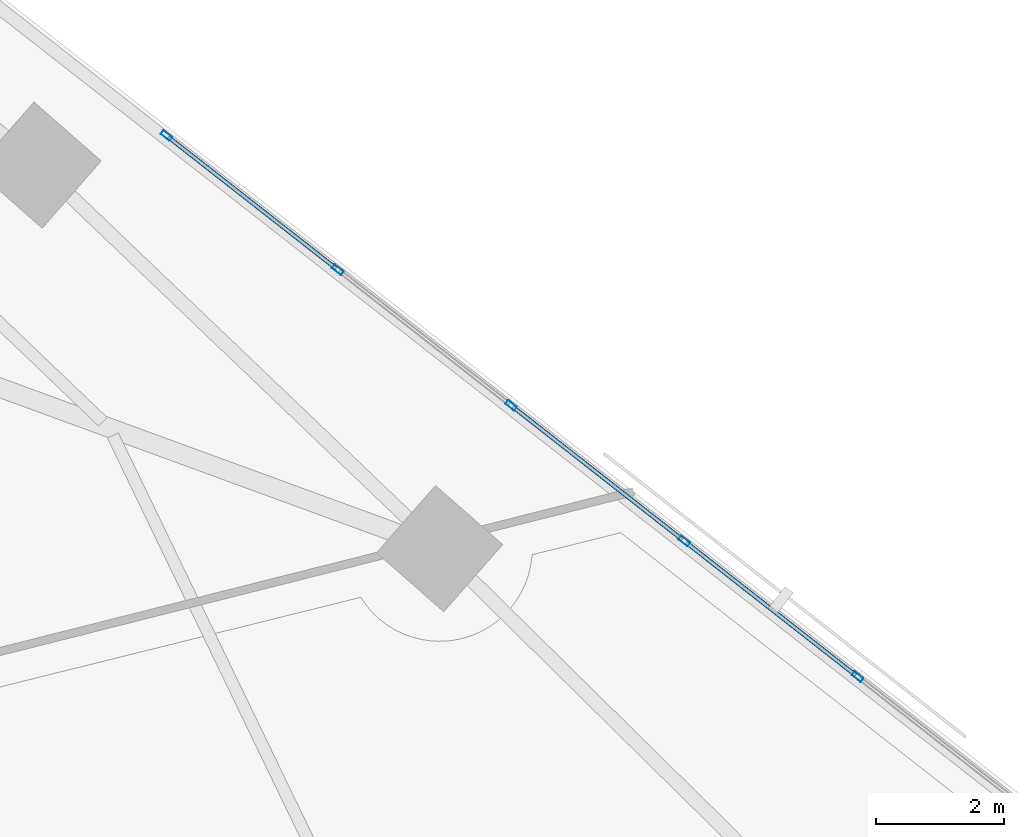
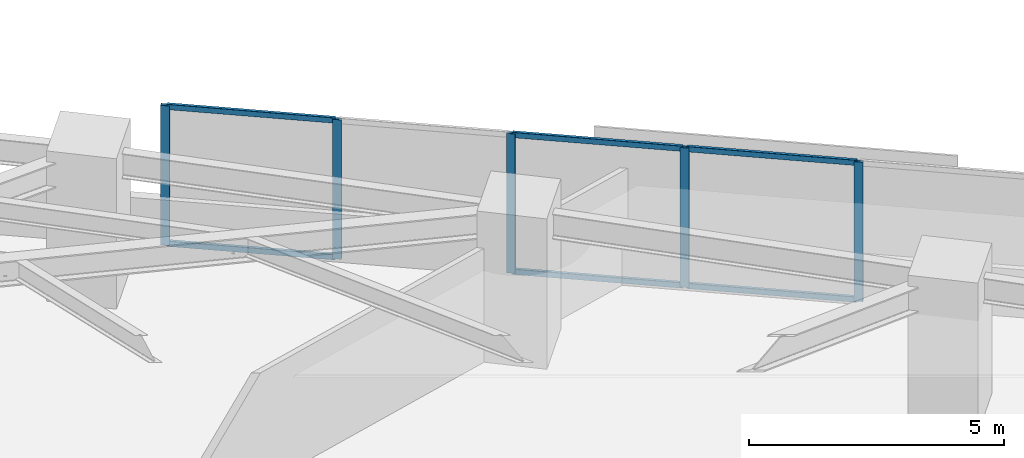
# One storey, part 7 of 16: 11 members, 1 element without a shape of its own.
"""IFC4 building model written with IfcOpenShell, lengths in metres."""

from ifc_helpers import new_model, si_unit, direction, frame, origin, origin_2d, place, context, subcontext, project, spatial, hollow_rectangle, extrude, material, material_profile, profile_set, type_object, element, aggregate, save


model = new_model("IFC4")

# Units and contexts
model_context = context("Model", 3, precision=1e-05, world=origin(), true_north=direction((0.0, 1.0)))
body_context = subcontext(model_context, "Body", "Model", "MODEL_VIEW")
ifc_project = project(units=[si_unit("LENGTHUNIT", "METRE"), si_unit("AREAUNIT", "SQUARE_METRE"), si_unit("VOLUMEUNIT", "CUBIC_METRE"), si_unit("PLANEANGLEUNIT", "RADIAN"), si_unit("MASSUNIT", "GRAM", prefix="KILO")], contexts=[model_context])

# Site, building, storey
site_placement = place(None, origin())
site = spatial("IfcSite", under=ifc_project, at=site_placement, CompositionType="ELEMENT")
building_placement = place(site_placement, origin())
building = spatial("IfcBuilding", under=site, at=building_placement, Name="Narakoshi Arena Tower", CompositionType="ELEMENT")
storey_placement = place(building_placement, frame((0.0, 0.0, 66.89990234375)))
storey = spatial("IfcBuildingStorey", under=building, at=storey_placement, Name="L17", CompositionType="ELEMENT", Elevation=66.89990234375)

# Curtain wall, members
ifc_material = material(Name="Anodised bronze aluminium 6063-T6", Category="aluminium")
curtain_wall_type = type_object("IfcCurtainWallType", Name="CW-HYP-LOW", PredefinedType="NOTDEFINED", material=ifc_material)
curtain_wall_placement = place(storey_placement, origin())
curtain_wall = element("IfcCurtainWall", 1, at=curtain_wall_placement, inside=storey, type_object=curtain_wall_type, Name="L17 Folded Hypotenuse Curtain Wall 1-1", PredefinedType="NOTDEFINED")
ifc_material_profile_1 = material_profile(ifc_material, hollow_rectangle(XDim=0.074951171875, YDim=0.179931640625, WallThickness=0.00390625, OuterFilletRadius=0.0048828125, at=origin_2d()), Name="MUL180x75x4")
ifc_profile_set_1 = profile_set([ifc_material_profile_1], Name="Anodised bronze aluminium 6063-T6")
member_type_1 = type_object("IfcMemberType", Name="MEM-MUL-180", PredefinedType="MULLION", material=ifc_profile_set_1)
member_1_placement = place(storey_placement, frame((107.304443359375, 48.927490234375, 0.0), z_axis=(0.0, 0.0, 1.0), x_axis=(-0.616458234641, -0.787387607817, 0.0)))
member_1 = element("IfcMember", 2, at=member_1_placement, type_object=member_type_1, Name="CW-01 mullion 6", PredefinedType="MULLION", context=body_context, shape_type="SweptSolid", body=[
    extrude(hollow_rectangle(XDim=0.074951171875, YDim=0.179931640625, WallThickness=0.00390625, OuterFilletRadius=0.0048828125, at=origin_2d()), origin(), (0.0, 0.0, 1.0), 3.340087890625),
])
member_2_placement = place(storey_placement, frame((104.5927734375, 51.050537109375, 0.0), z_axis=(0.0, 0.0, 1.0), x_axis=(-0.616458234641, -0.787387607817, 0.0)))
member_2 = element("IfcMember", 3, at=member_2_placement, type_object=member_type_1, Name="CW-01 mullion 7", PredefinedType="MULLION", context=body_context, shape_type="SweptSolid", body=[
    extrude(hollow_rectangle(XDim=0.074951171875, YDim=0.179931640625, WallThickness=0.00390625, OuterFilletRadius=0.0048828125, at=origin_2d()), origin(), (0.0, 0.0, 1.0), 3.340087890625),
])
member_3_placement = place(storey_placement, frame((101.88134765625, 53.17333984375, 0.0), z_axis=(0.0, 0.0, 1.0), x_axis=(-0.616458234641, -0.787387607817, 0.0)))
member_3 = element("IfcMember", 4, at=member_3_placement, type_object=member_type_1, Name="CW-01 mullion 8", PredefinedType="MULLION", context=body_context, shape_type="SweptSolid", body=[
    extrude(hollow_rectangle(XDim=0.074951171875, YDim=0.179931640625, WallThickness=0.00390625, OuterFilletRadius=0.0048828125, at=origin_2d()), origin(), (0.0, 0.0, 1.0), 3.340087890625),
])
member_4_placement = place(storey_placement, frame((99.169677734375, 55.29638671875, 0.0), z_axis=(0.0, 0.0, 1.0), x_axis=(-0.616458234641, -0.787387607817, 0.0)))
member_4 = element("IfcMember", 5, at=member_4_placement, type_object=member_type_1, Name="CW-01 mullion 9", PredefinedType="MULLION", context=body_context, shape_type="SweptSolid", body=[
    extrude(hollow_rectangle(XDim=0.074951171875, YDim=0.179931640625, WallThickness=0.00390625, OuterFilletRadius=0.0048828125, at=origin_2d()), origin(), (0.0, 0.0, 1.0), 3.340087890625),
])
member_5_placement = place(storey_placement, frame((96.48779296875, 57.39599609375, 0.0), z_axis=(0.0, 0.0, 1.0), x_axis=(-0.616458234641, -0.787387607817, 0.0)))
member_5 = element("IfcMember", 6, at=member_5_placement, type_object=member_type_1, Name="CW-01 mullion 10", PredefinedType="MULLION", context=body_context, shape_type="SweptSolid", body=[
    extrude(hollow_rectangle(XDim=0.074951171875, YDim=0.179931640625, WallThickness=0.00390625, OuterFilletRadius=0.0048828125, at=origin_2d()), origin(), (0.0, 0.0, 1.0), 3.340087890625),
])
ifc_material_profile_2 = material_profile(ifc_material, hollow_rectangle(XDim=0.06494140625, YDim=0.1298828125, WallThickness=0.00390625, OuterFilletRadius=0.0048828125, at=origin_2d()), Name="TRN130x65x4")
ifc_profile_set_2 = profile_set([ifc_material_profile_2], Name="Anodised bronze aluminium 6063-T6")
member_type_2 = type_object("IfcMemberType", Name="MEM-TRN-130", PredefinedType="USERDEFINED", material=ifc_profile_set_2)
member_6_placement = place(storey_placement, frame((107.27490234375, 48.95068359375, 0.03271484375), z_axis=(-0.787400998112, 0.616441131149, 0.0), x_axis=(-0.616441131149, -0.787400998112, 0.0)))
member_6 = element("IfcMember", 7, at=member_6_placement, type_object=member_type_2, Name="CW-01 transom 6.1", ObjectType="TRANSOM", PredefinedType="USERDEFINED", context=body_context, shape_type="SweptSolid", body=[
    extrude(hollow_rectangle(XDim=0.06494140625, YDim=0.1298828125, WallThickness=0.00390625, OuterFilletRadius=0.0048828125, at=origin_2d()), origin(), (0.0, 0.0, 1.0), 3.368896484375),
])
member_7_placement = place(storey_placement, frame((107.27490234375, 48.95068359375, 3.3076171875), z_axis=(-0.787400998112, 0.616441131149, 0.0), x_axis=(-0.616441131149, -0.787400998112, 0.0)))
member_7 = element("IfcMember", 8, at=member_7_placement, type_object=member_type_2, Name="CW-01 transom 6.2", ObjectType="TRANSOM", PredefinedType="USERDEFINED", context=body_context, shape_type="SweptSolid", body=[
    extrude(hollow_rectangle(XDim=0.06494140625, YDim=0.1298828125, WallThickness=0.00390625, OuterFilletRadius=0.0048828125, at=origin_2d()), origin(), (0.0, 0.0, 1.0), 3.368896484375),
])
member_8_placement = place(storey_placement, frame((104.563232421875, 51.073486328125, 0.03271484375), z_axis=(-0.787373456673, 0.616476309137, 0.0), x_axis=(-0.616476309137, -0.787373456673, 0.0)))
member_8 = element("IfcMember", 9, at=member_8_placement, type_object=member_type_2, Name="CW-01 transom 7.1", ObjectType="TRANSOM", PredefinedType="USERDEFINED", context=body_context, shape_type="SweptSolid", body=[
    extrude(hollow_rectangle(XDim=0.06494140625, YDim=0.1298828125, WallThickness=0.00390625, OuterFilletRadius=0.0048828125, at=origin_2d()), origin(), (0.0, 0.0, 1.0), 3.36865234375),
])
member_9_placement = place(storey_placement, frame((104.563232421875, 51.073486328125, 3.3076171875), z_axis=(-0.787373456673, 0.616476309137, 0.0), x_axis=(-0.616476309137, -0.787373456673, 0.0)))
member_9 = element("IfcMember", 10, at=member_9_placement, type_object=member_type_2, Name="CW-01 transom 7.2", ObjectType="TRANSOM", PredefinedType="USERDEFINED", context=body_context, shape_type="SweptSolid", body=[
    extrude(hollow_rectangle(XDim=0.06494140625, YDim=0.1298828125, WallThickness=0.00390625, OuterFilletRadius=0.0048828125, at=origin_2d()), origin(), (0.0, 0.0, 1.0), 3.36865234375),
])
member_10_placement = place(storey_placement, frame((99.14013671875, 55.3193359375, 0.03271484375), z_axis=(-0.787347227026, 0.616509808596, 0.0), x_axis=(-0.616509808596, -0.787347227026, 0.0)))
member_10 = element("IfcMember", 11, at=member_10_placement, type_object=member_type_2, Name="CW-01 transom 9.1", ObjectType="TRANSOM", PredefinedType="USERDEFINED", context=body_context, shape_type="SweptSolid", body=[
    extrude(hollow_rectangle(XDim=0.06494140625, YDim=0.1298828125, WallThickness=0.00390625, OuterFilletRadius=0.0048828125, at=origin_2d()), origin(), (0.0, 0.0, 1.0), 3.331298828125),
])
member_11_placement = place(storey_placement, frame((99.14013671875, 55.3193359375, 3.3076171875), z_axis=(-0.787347227026, 0.616509808596, 0.0), x_axis=(-0.616509808596, -0.787347227026, 0.0)))
member_11 = element("IfcMember", 12, at=member_11_placement, type_object=member_type_2, Name="CW-01 transom 9.2", ObjectType="TRANSOM", PredefinedType="USERDEFINED", context=body_context, shape_type="SweptSolid", body=[
    extrude(hollow_rectangle(XDim=0.06494140625, YDim=0.1298828125, WallThickness=0.00390625, OuterFilletRadius=0.0048828125, at=origin_2d()), origin(), (0.0, 0.0, 1.0), 3.331298828125),
])
aggregate(curtain_wall, [member_1, member_2, member_3, member_4, member_5, member_6, member_7, member_8, member_9, member_10, member_11])

save(model, "model.ifc")
